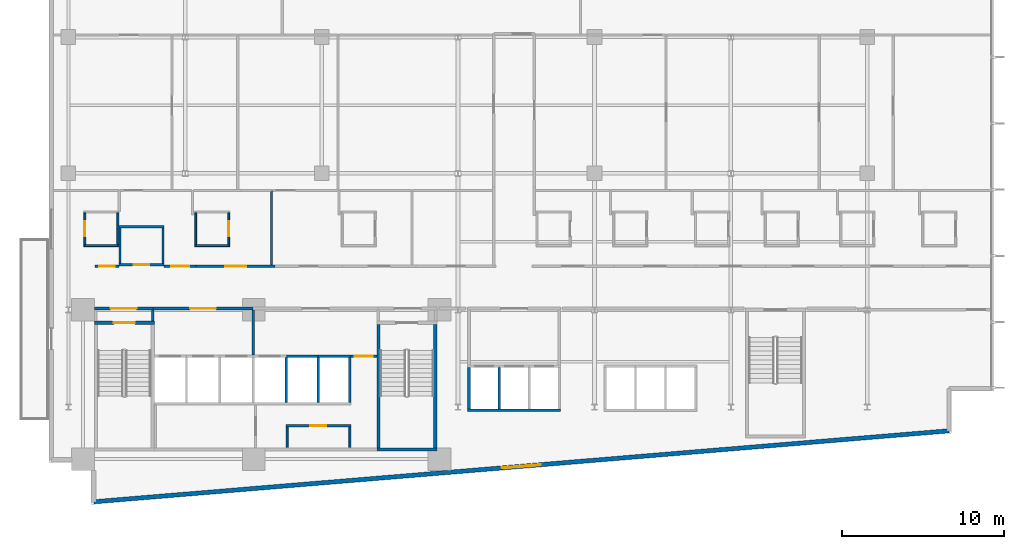
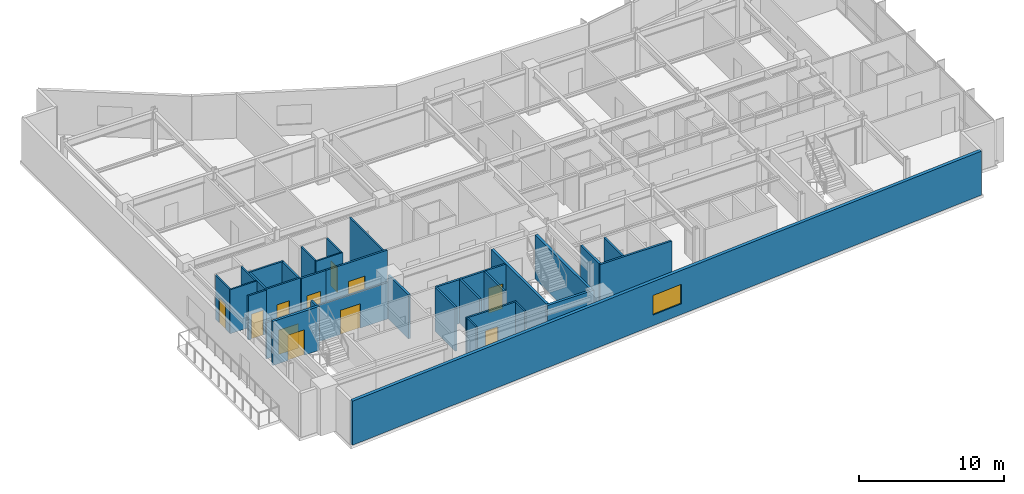
# One storey, part 12 of 20: 35 walls, 11 doors, 1 window, 12 openings.
"""IFC4 building model written with IfcOpenShell, lengths in metres."""

import ifcopenshell
import ifcopenshell.guid

model = None  # the IFC model being written
_history = None  # IfcOwnerHistory: only IFC2X3 demands one
_inside = {}  # id of a spatial element -> (the spatial element, [elements in it])
_under = {}  # id of a project, library or spatial element -> (it, [spatial elements below it])
_declared = {}  # id of a project -> (the project, [libraries it declares])
_typed = {}  # id of a type object -> (the type object, [elements of that type])
_made_of = {}  # id of a material, layer set ... -> (it, [elements and type objects made of it])


def new_model(schema):
    """Start an empty IFC model of exactly this schema.

    Asked for "IFC4X3", IfcOpenShell would pick the latest addendum, in which some entities
    have other attributes; the version numbers below select the first issue.
    IFC2X3 requires an IfcOwnerHistory on every rooted entity: one is made here for all.
    """
    global model, _history
    if schema == "IFC4X3":
        model = ifcopenshell.file(schema_version=(4, 3, 0, 0))
    else:
        model = ifcopenshell.file(schema=schema)
    _inside.clear()
    _under.clear()
    _declared.clear()
    _typed.clear()
    _made_of.clear()
    _history = None
    if model.schema == "IFC2X3":
        org = make("IfcOrganization", Name="unknown")
        user = make(
            "IfcPersonAndOrganization",
            ThePerson=make("IfcPerson", FamilyName="unknown"),
            TheOrganization=org,
        )
        app = make(
            "IfcApplication",
            ApplicationDeveloper=org,
            Version="unknown",
            ApplicationFullName="unknown",
            ApplicationIdentifier="unknown",
        )
        _history = make(
            "IfcOwnerHistory",
            OwningUser=user,
            OwningApplication=app,
            ChangeAction="ADDED",
            CreationDate=0,
        )
    return model


def make(cls, **values):
    """One entity of the class cls with the attributes given. An attribute that is None is left unset."""
    return model.create_entity(
        cls, **{name: value for name, value in values.items() if value is not None}
    )


def rooted(cls, **values):
    """An entity with a GlobalId (a new one), such as an element, a storey or a relation."""
    return make(cls, GlobalId=ifcopenshell.guid.new(), OwnerHistory=_history, **values)


def si_unit(unit_type, name, prefix=None):
    """IfcSIUnit, for example si_unit("LENGTHUNIT", "METRE", prefix="MILLI")."""
    return make("IfcSIUnit", UnitType=unit_type, Prefix=prefix, Name=name)


def assignment(units):
    """IfcUnitAssignment: the units of a project."""
    return None if units is None else make("IfcUnitAssignment", Units=units)


def point(xyz):
    """IfcCartesianPoint."""
    return None if xyz is None else make("IfcCartesianPoint", Coordinates=xyz)


def direction(xyz):
    """IfcDirection."""
    return None if xyz is None else make("IfcDirection", DirectionRatios=xyz)


def frame(location, z_axis=None, x_axis=None):
    """IfcAxis2Placement3D, a coordinate frame: its origin and axes. An axis left out is left unset."""
    return make(
        "IfcAxis2Placement3D",
        Location=point(location),
        Axis=direction(z_axis),
        RefDirection=direction(x_axis),
    )


def frame_2d(location, x_axis=None):
    """IfcAxis2Placement2D, a coordinate frame in the plane: its origin and x axis."""
    return make(
        "IfcAxis2Placement2D", Location=point(location), RefDirection=direction(x_axis)
    )


def origin():
    """The frame at (0, 0, 0) with its axes left unset."""
    return frame((0.0, 0.0, 0.0))


def place(relative_to, where):
    """IfcLocalPlacement: puts the frame where relative to a parent placement (None: the world)."""
    return make(
        "IfcLocalPlacement", PlacementRelTo=relative_to, RelativePlacement=where
    )


def context(
    kind, dimensions, precision=None, world=None, true_north=None, identifier=None
):
    """IfcGeometricRepresentationContext, for example the 3D "Model" context."""
    return make(
        "IfcGeometricRepresentationContext",
        ContextIdentifier=identifier,
        ContextType=kind,
        CoordinateSpaceDimension=dimensions,
        Precision=precision,
        WorldCoordinateSystem=world,
        TrueNorth=true_north,
    )


def subcontext(parent, identifier, kind, view, scale=None):
    """IfcGeometricRepresentationSubContext, for example "Body" below "Model"."""
    return make(
        "IfcGeometricRepresentationSubContext",
        ContextIdentifier=identifier,
        ContextType=kind,
        ParentContext=parent,
        TargetScale=scale,
        TargetView=view,
    )


def project(units=None, contexts=None):
    """IfcProject with its units and contexts."""
    return rooted(
        "IfcProject",
        Name="project",
        RepresentationContexts=contexts,
        UnitsInContext=assignment(units),
    )


def spatial(cls, under=None, at=None, **own):
    """A site, building, storey or space (cls), placed at a placement, below another one or the project."""
    s = rooted(cls, ObjectPlacement=at, **own)
    if under is not None:
        _under.setdefault(under.id(), (under, []))[1].append(s)
    return s


def profile(cls, at=None, kind="AREA", **sizes):
    """A parametric profile (cls). Its sizes go by their IFC names, for example OverallWidth=200.0."""
    return make(cls, ProfileType=kind, Position=at, **sizes)


def rectangle(**sizes):
    """IfcRectangleProfileDef."""
    return profile("IfcRectangleProfileDef", **sizes)


def extrude(swept, where, along, depth):
    """IfcExtrudedAreaSolid: the profile swept, set in the frame where, extruded along a direction by depth."""
    return make(
        "IfcExtrudedAreaSolid",
        SweptArea=swept,
        Position=where,
        ExtrudedDirection=direction(along),
        Depth=depth,
    )


def shape(context_of_items, identifier, shape_type, items):
    """IfcShapeRepresentation: the items that make up one representation, for example the "Body"."""
    return make(
        "IfcShapeRepresentation",
        ContextOfItems=context_of_items,
        RepresentationIdentifier=identifier,
        RepresentationType=shape_type,
        Items=items,
    )


def material(Name=None, Category=None):
    """IfcMaterial."""
    return make("IfcMaterial", Name=Name, Category=Category)


def layer(
    of_material, thickness, ventilated=None, Name=None, Category=None, Priority=None
):
    """IfcMaterialLayer: one layer of a wall or slab, of a material (None: an air gap)."""
    return make(
        "IfcMaterialLayer",
        Material=of_material,
        LayerThickness=thickness,
        IsVentilated=ventilated,
        Name=Name,
        Category=Category,
        Priority=Priority,
    )


def layer_set(layers, Name=None):
    """IfcMaterialLayerSet."""
    return make("IfcMaterialLayerSet", MaterialLayers=layers, LayerSetName=Name)


def made_of(thing, what):
    """Note that an element or type object is made of a material, layer set ...; save() writes the relation."""
    if what is not None:
        _made_of.setdefault(what.id(), (what, []))[1].append(thing)
    return thing


def type_object(cls, material=None, **own):
    """A type object (cls), such as IfcWallType, which elements share."""
    return made_of(rooted(cls, **own), material)


def element(
    cls,
    number,
    at=None,
    inside=None,
    cuts=None,
    type_object=None,
    material=None,
    context=None,
    identifier="Body",
    shape_type=None,
    held_by="IfcProductDefinitionShape",
    body=None,
    shapes=None,
    **own,
):
    """One element of the class cls, such as IfcWall. Its Tag is "e" and its number.

    at: its placement. inside: the storey or other place that contains it. cuts: it is an
    opening in that element (IfcRelVoidsElement). A single representation is given by context,
    identifier, shape_type and body (its items); several are given by shapes. held_by: the class
    of the entity that holds the representations. save() writes the other relations.
    """
    e = rooted(cls, Tag="e%d" % number, ObjectPlacement=at, **own)
    if body is not None:
        shapes = [shape(context, identifier, shape_type, body)]
    if shapes is not None:
        e.Representation = make(held_by, Representations=shapes)
    if inside is not None:
        _inside.setdefault(inside.id(), (inside, []))[1].append(e)
    if cuts is not None:
        rooted(
            "IfcRelVoidsElement", RelatingBuildingElement=cuts, RelatedOpeningElement=e
        )
    if type_object is not None:
        _typed.setdefault(type_object.id(), (type_object, []))[1].append(e)
    return made_of(e, material)


def fill(opening, filler):
    """IfcRelFillsElement: the door or window that sits in an opening."""
    return rooted(
        "IfcRelFillsElement",
        RelatingOpeningElement=opening,
        RelatedBuildingElement=filler,
    )


def aggregate(whole, parts):
    """IfcRelAggregates: a whole, such as a stair, and the parts it consists of."""
    return rooted("IfcRelAggregates", RelatingObject=whole, RelatedObjects=parts)


def save(model, path):
    """Write the relations noted so far, then the file.

    IfcRelAggregates (storeys below a building ...), IfcRelContainedInSpatialStructure (elements
    in a storey), IfcRelDefinesByType, IfcRelAssociatesMaterial and IfcRelDeclares: one each for
    every whole, place, type object, material and project.
    """
    for whole, parts in _under.values():
        aggregate(whole, parts)
    for where, things in _inside.values():
        rooted(
            "IfcRelContainedInSpatialStructure",
            RelatedElements=things,
            RelatingStructure=where,
        )
    for kind, things in _typed.values():
        rooted("IfcRelDefinesByType", RelatedObjects=things, RelatingType=kind)
    for what, things in _made_of.values():
        rooted("IfcRelAssociatesMaterial", RelatedObjects=things, RelatingMaterial=what)
    for by, libraries in _declared.values():
        rooted("IfcRelDeclares", RelatingContext=by, RelatedDefinitions=libraries)
    model.write(path)


model = new_model("IFC4")

# Units and contexts
model_context = context("Model", 3, precision=1e-05, world=origin(), true_north=direction((0.0, 1.0)))
body_context = subcontext(model_context, "Body", "Model", "MODEL_VIEW")
ifc_project = project(units=[si_unit("LENGTHUNIT", "METRE"), si_unit("AREAUNIT", "SQUARE_METRE"), si_unit("VOLUMEUNIT", "CUBIC_METRE"), si_unit("PLANEANGLEUNIT", "RADIAN"), si_unit("MASSUNIT", "GRAM", prefix="KILO")], contexts=[model_context])

# Site, building, storey
site_placement = place(None, origin())
site = spatial("IfcSite", under=ifc_project, at=site_placement, CompositionType="ELEMENT")
building_placement = place(site_placement, origin())
building = spatial("IfcBuilding", under=site, at=building_placement, Name="Varnakote Quay Hospital", CompositionType="ELEMENT")
storey_placement = place(building_placement, frame((0.0, 0.0, 58.050048828125)))
storey = spatial("IfcBuildingStorey", under=building, at=storey_placement, Name="L14", CompositionType="ELEMENT", Elevation=58.050048828125)

# Wall, opening, door
ifc_material_1 = material(Name="Fire-rated acoustic gypsum stud wall", Category="gypsum")
ifc_layer_1 = layer(ifc_material_1, 0.159912109375)
ifc_layer_set_1 = layer_set([ifc_layer_1], Name="Fire-rated acoustic gypsum stud wall")
wall_type_1 = type_object("IfcWallType", Name="WL-COMP-160", PredefinedType="PARTITIONING", material=ifc_layer_set_1)
wall_1_placement = place(storey_placement, frame((2.800048828125, 12.080078125, 0.0), z_axis=(0.0, 0.0, 1.0), x_axis=(1.0, 0.0, 0.0)))
wall_1 = element("IfcWall", 1, at=wall_1_placement, inside=storey, type_object=wall_type_1, Name="L14 West Stair Vestibule Smoke Wall", PredefinedType="PARTITIONING", context=body_context, shape_type="SweptSolid", body=[
    extrude(rectangle(XDim=3.599853515625, YDim=0.159912109375, at=frame_2d((1.7998046875, 0.0))), origin(), (0.0, 0.0, 1.0), 3.072998046875),
])
opening_1_placement = place(wall_1_placement, frame((1.0, 0.0, 0.0)))
opening_1 = element("IfcOpeningElement", 2, at=opening_1_placement, cuts=wall_1, Name="Opening D-ST1L-L14", PredefinedType="OPENING", context=body_context, shape_type="SweptSolid", body=[
    extrude(rectangle(XDim=1.60009765625, YDim=2.050048828125, at=frame_2d((0.800048828125, 1.02490234375))), frame((0.0, 0.08984375, 0.0), z_axis=(0.0, -1.0, 0.0), x_axis=(1.0, 0.0, 0.0)), (0.0, 0.0, 1.0), 0.179931640625),
])
ifc_material_2 = material(Name="Fire-rated double smoke lobby door")
door_type_1 = type_object("IfcDoorType", Name="DR-LOBBY-FD60S-1600x2150", OperationType="NOTDEFINED", PredefinedType="DOOR", material=ifc_material_2)
door_1_placement = place(opening_1_placement, origin())
door_1 = element("IfcDoor", 3, at=door_1_placement, inside=storey, type_object=door_type_1, Name="L14 West Stair Vestibule Smoke Door", OperationType="DOUBLE_DOOR_SINGLE_SWING", OverallHeight=2.050048828125, OverallWidth=1.60009765625, PredefinedType="DOOR", context=body_context, shape_type="SweptSolid", body=[
    extrude(rectangle(XDim=1.60009765625, YDim=2.050048828125, at=frame_2d((0.800048828125, 1.02490234375))), frame((0.0, 0.02490234375, 0.0), z_axis=(0.0, -1.0, 0.0), x_axis=(1.0, 0.0, 0.0)), (0.0, 0.0, 1.0), 0.050048828125),
])
fill(opening_1, door_1)

# Wall
wall_2_placement = place(storey_placement, frame((6.39990234375, 11.300048828125, 0.0), z_axis=(0.0, 0.0, 1.0), x_axis=(0.0, 1.0, 0.0)))
element("IfcWall", 4, at=wall_2_placement, inside=storey, type_object=wall_type_1, Name="L14 Firefighting Lobby West Wall", PredefinedType="PARTITIONING", context=body_context, shape_type="SweptSolid", body=[
    extrude(rectangle(XDim=0.699951171875, YDim=0.159912109375, at=frame_2d((0.35009765625, 0.0))), origin(), (0.0, 0.0, 1.0), 3.7099609375),
])

# Wall, opening, door
wall_3_placement = place(storey_placement, frame((6.39990234375, 12.080078125, 0.0), z_axis=(0.0, 0.0, 1.0), x_axis=(1.0, 0.0, 0.0)))
wall_3 = element("IfcWall", 5, at=wall_3_placement, inside=storey, type_object=wall_type_1, Name="L14 Firefighting Lift Lobby Compartment Wall", PredefinedType="PARTITIONING", context=body_context, shape_type="SweptSolid", body=[
    extrude(rectangle(XDim=6.18017578125, YDim=0.159912109375, at=frame_2d((3.090087890625, 0.0))), origin(), (0.0, 0.0, 1.0), 3.072998046875),
])
opening_2_placement = place(wall_3_placement, frame((2.2900390625, 0.0, 0.0)))
opening_2 = element("IfcOpeningElement", 6, at=opening_2_placement, cuts=wall_3, Name="Opening D-FFL-L14", PredefinedType="OPENING", context=body_context, shape_type="SweptSolid", body=[
    extrude(rectangle(XDim=1.60009765625, YDim=2.050048828125, at=frame_2d((0.800048828125, 1.02490234375))), frame((0.0, 0.08984375, 0.0), z_axis=(0.0, -1.0, 0.0), x_axis=(1.0, 0.0, 0.0)), (0.0, 0.0, 1.0), 0.179931640625),
])
door_2_placement = place(opening_2_placement, origin())
door_2 = element("IfcDoor", 7, at=door_2_placement, inside=storey, type_object=door_type_1, Name="L14 Firefighting Smoke Vestibule Door", OperationType="DOUBLE_DOOR_SINGLE_SWING", OverallHeight=2.050048828125, OverallWidth=1.60009765625, PredefinedType="DOOR", context=body_context, shape_type="SweptSolid", body=[
    extrude(rectangle(XDim=1.60009765625, YDim=2.050048828125, at=frame_2d((0.800048828125, 1.02490234375))), frame((0.0, 0.02490234375, 0.0), z_axis=(0.0, -1.0, 0.0), x_axis=(1.0, 0.0, 0.0)), (0.0, 0.0, 1.0), 0.050048828125),
])
fill(opening_2, door_2)

# Walls
wall_4_placement = place(storey_placement, frame((12.580078125, 9.2099609375, 0.0), z_axis=(0.0, 0.0, 1.0), x_axis=(0.0, 1.0, 0.0)))
element("IfcWall", 8, at=wall_4_placement, inside=storey, type_object=wall_type_1, Name="L14 Firefighting to Service Lobby Wall", PredefinedType="PARTITIONING", context=body_context, shape_type="SweptSolid", body=[
    extrude(rectangle(XDim=2.7900390625, YDim=0.159912109375, at=frame_2d((1.39501953125, 0.0))), origin(), (0.0, 0.0, 1.0), 3.7099609375),
])
ifc_material_3 = material(Name="Moisture-resistant bathroom partition", Category="gypsum")
ifc_layer_2 = layer(ifc_material_3, 0.114990234375)
ifc_layer_set_2 = layer_set([ifc_layer_2], Name="Moisture-resistant bathroom partition")
wall_type_2 = type_object("IfcWallType", Name="WL-ENS-115", PredefinedType="PARTITIONING", material=ifc_layer_set_2)
wall_5_placement = place(storey_placement, frame((2.155029296875, 15.952392578125, 0.0), z_axis=(0.0, 0.0, 1.0), x_axis=(1.0, 0.0, 0.0)))
element("IfcWall", 9, at=wall_5_placement, inside=storey, type_object=wall_type_2, Name="L14 Inpatient En-Suite Bathroom 01 S Wall", PredefinedType="PARTITIONING", context=body_context, shape_type="SweptSolid", body=[
    extrude(rectangle(XDim=2.14990234375, YDim=0.114990234375, at=frame_2d((1.074951171875, 0.0))), origin(), (0.0, 0.0, 1.0), 3.7099609375),
])

# Wall, opening, door
wall_6_placement = place(storey_placement, frame((2.21240234375, 16.010009765625, 0.0), z_axis=(0.0, 0.0, 1.0), x_axis=(0.0, 1.0, 0.0)))
wall_6 = element("IfcWall", 10, at=wall_6_placement, inside=storey, type_object=wall_type_2, Name="L14 Inpatient En-Suite Bathroom 01 W Wall", PredefinedType="PARTITIONING", context=body_context, shape_type="SweptSolid", body=[
    extrude(rectangle(XDim=1.949951171875, YDim=0.114990234375, at=frame_2d((0.97509765625, 0.0))), origin(), (0.0, 0.0, 1.0), 3.7099609375),
])
opening_3_placement = place(wall_6_placement, frame((0.514892578125, 0.0, 0.0)))
opening_3 = element("IfcOpeningElement", 11, at=opening_3_placement, cuts=wall_6, Name="Opening D-L14-ENS01", PredefinedType="OPENING", context=body_context, shape_type="SweptSolid", body=[
    extrude(rectangle(XDim=0.919921875, YDim=2.10009765625, at=frame_2d((0.4599609375, 1.050048828125))), frame((0.0, 0.0673828125, 0.0), z_axis=(0.0, -1.0, 0.0), x_axis=(1.0, 0.0, 0.0)), (0.0, 0.0, 1.0), 0.135009765625),
])
ifc_material_4 = material(Name="Moisture-sealed en-suite bathroom door")
door_type_2 = type_object("IfcDoorType", Name="DR-ENS-920x2100", OperationType="NOTDEFINED", PredefinedType="DOOR", material=ifc_material_4)
door_3_placement = place(opening_3_placement, origin())
door_3 = element("IfcDoor", 12, at=door_3_placement, inside=storey, type_object=door_type_2, Name="L14 Inpatient En-Suite Bathroom 01 Door", OperationType="SINGLE_SWING_LEFT", OverallHeight=2.10009765625, OverallWidth=0.919921875, PredefinedType="DOOR", context=body_context, shape_type="SweptSolid", body=[
    extrude(rectangle(XDim=0.919921875, YDim=2.10009765625, at=frame_2d((0.4599609375, 1.050048828125))), frame((0.0, 0.02490234375, 0.0), z_axis=(0.0, -1.0, 0.0), x_axis=(1.0, 0.0, 0.0)), (0.0, 0.0, 1.0), 0.050048828125),
])
fill(opening_3, door_3)

# Walls
wall_7_placement = place(storey_placement, frame((4.24755859375, 16.010009765625, 0.0), z_axis=(0.0, 0.0, 1.0), x_axis=(0.0, 1.0, 0.0)))
element("IfcWall", 13, at=wall_7_placement, inside=storey, type_object=wall_type_2, Name="L14 Inpatient En-Suite Bathroom 01 E Wall", PredefinedType="PARTITIONING", context=body_context, shape_type="SweptSolid", body=[
    extrude(rectangle(XDim=1.949951171875, YDim=0.114990234375, at=frame_2d((0.97509765625, 0.0))), origin(), (0.0, 0.0, 1.0), 3.7099609375),
])
wall_8_placement = place(storey_placement, frame((8.985107421875, 15.952392578125, 0.0), z_axis=(0.0, 0.0, 1.0), x_axis=(1.0, 0.0, 0.0)))
element("IfcWall", 14, at=wall_8_placement, inside=storey, type_object=wall_type_2, Name="L14 Inpatient En-Suite Bathroom 02 S Wall", PredefinedType="PARTITIONING", context=body_context, shape_type="SweptSolid", body=[
    extrude(rectangle(XDim=2.14990234375, YDim=0.114990234375, at=frame_2d((1.074951171875, 0.0))), origin(), (0.0, 0.0, 1.0), 3.7099609375),
])
wall_9_placement = place(storey_placement, frame((9.04248046875, 16.010009765625, 0.0), z_axis=(0.0, 0.0, 1.0), x_axis=(0.0, 1.0, 0.0)))
element("IfcWall", 15, at=wall_9_placement, inside=storey, type_object=wall_type_2, Name="L14 Inpatient En-Suite Bathroom 02 W Wall", PredefinedType="PARTITIONING", context=body_context, shape_type="SweptSolid", body=[
    extrude(rectangle(XDim=1.949951171875, YDim=0.114990234375, at=frame_2d((0.97509765625, 0.0))), origin(), (0.0, 0.0, 1.0), 3.7099609375),
])

# Wall, opening, door
wall_10_placement = place(storey_placement, frame((11.077392578125, 16.010009765625, 0.0), z_axis=(0.0, 0.0, 1.0), x_axis=(0.0, 1.0, 0.0)))
wall_10 = element("IfcWall", 16, at=wall_10_placement, inside=storey, type_object=wall_type_2, Name="L14 Inpatient En-Suite Bathroom 02 E Wall", PredefinedType="PARTITIONING", context=body_context, shape_type="SweptSolid", body=[
    extrude(rectangle(XDim=1.949951171875, YDim=0.114990234375, at=frame_2d((0.97509765625, 0.0))), origin(), (0.0, 0.0, 1.0), 3.7099609375),
])
opening_4_placement = place(wall_10_placement, frame((0.514892578125, 0.0, 0.0)))
opening_4 = element("IfcOpeningElement", 17, at=opening_4_placement, cuts=wall_10, Name="Opening D-L14-ENS02", PredefinedType="OPENING", context=body_context, shape_type="SweptSolid", body=[
    extrude(rectangle(XDim=0.919921875, YDim=2.10009765625, at=frame_2d((0.4599609375, 1.050048828125))), frame((0.0, 0.0673828125, 0.0), z_axis=(0.0, -1.0, 0.0), x_axis=(1.0, 0.0, 0.0)), (0.0, 0.0, 1.0), 0.135009765625),
])
door_4_placement = place(opening_4_placement, origin())
door_4 = element("IfcDoor", 18, at=door_4_placement, inside=storey, type_object=door_type_2, Name="L14 Inpatient En-Suite Bathroom 02 Door", OperationType="SINGLE_SWING_RIGHT", OverallHeight=2.10009765625, OverallWidth=0.919921875, PredefinedType="DOOR", context=body_context, shape_type="SweptSolid", body=[
    extrude(rectangle(XDim=0.919921875, YDim=2.10009765625, at=frame_2d((0.4599609375, 1.050048828125))), frame((0.0, 0.02490234375, 0.0), z_axis=(0.0, -1.0, 0.0), x_axis=(1.0, 0.0, 0.0)), (0.0, 0.0, 1.0), 0.050048828125),
])
fill(opening_4, door_4)

# Wall, opening, window
ifc_material_5 = material(Name="Precast concrete N50 (f'c 50 MPa)", Category="concrete")
ifc_layer_3 = layer(ifc_material_5, 0.260009765625)
ifc_layer_set_3 = layer_set([ifc_layer_3], Name="Precast concrete N50 (f'c 50 MPa)")
wall_type_3 = type_object("IfcWallType", Name="WL-EXT-BRICK-260", PredefinedType="STANDARD", material=ifc_layer_set_3)
wall_11_placement = place(storey_placement, frame((2.760009765625, 0.173828125, 0.0), z_axis=(0.0, 0.0, 1.0), x_axis=(0.996571478456, 0.082736257641, 0.0)))
wall_11 = element("IfcWall", 19, at=wall_11_placement, inside=storey, type_object=wall_type_3, Name="L14 Brick-Faced Precast Exterior Wall", PredefinedType="STANDARD", context=body_context, shape_type="SweptSolid", body=[
    extrude(rectangle(XDim=52.861083984375, YDim=0.260009765625, at=frame_2d((26.4306640625, 0.0))), origin(), (0.0, 0.0, 1.0), 3.7099609375),
])
opening_5_placement = place(wall_11_placement, frame((25.230712890625, 0.0, 0.89990234375)))
opening_5 = element("IfcOpeningElement", 20, at=opening_5_placement, cuts=wall_11, Name="Opening WN-0070", PredefinedType="OPENING", context=body_context, shape_type="SweptSolid", body=[
    extrude(rectangle(XDim=2.39990234375, YDim=1.64990234375, at=frame_2d((1.199951171875, 0.824951171875))), frame((0.0, 0.139892578125, 0.0), z_axis=(0.0, -1.0, 0.0), x_axis=(1.0, 0.0, 0.0)), (0.0, 0.0, 1.0), 0.280029296875),
])
ifc_material_6 = material(Name="Double-glazed low-E solar glass", Category="glass")
window_type = type_object("IfcWindowType", Name="WIN-CLIN-2400x1650", PartitioningType="SINGLE_PANEL", PredefinedType="WINDOW", material=ifc_material_6)
window_placement = place(opening_5_placement, origin())
window = element("IfcWindow", 21, at=window_placement, inside=storey, type_object=window_type, Name="L14 Solar-Control Clinical Window", OverallHeight=1.64990234375, OverallWidth=2.39990234375, PartitioningType="SINGLE_PANEL", PredefinedType="WINDOW", context=body_context, shape_type="SweptSolid", body=[
    extrude(rectangle(XDim=2.39990234375, YDim=1.64990234375, at=frame_2d((1.199951171875, 0.824951171875))), frame((0.0, 0.030029296875, 0.0), z_axis=(0.0, -1.0, 0.0), x_axis=(1.0, 0.0, 0.0)), (0.0, 0.0, 1.0), 0.06005859375),
])
fill(opening_5, window)

# Walls
ifc_material_7 = material(Name="Concrete N50 (f'c 50 MPa)", Category="concrete")
ifc_layer_4 = layer(ifc_material_7, 0.14990234375)
ifc_layer_set_4 = layer_set([ifc_layer_4], Name="Concrete N50 (f'c 50 MPa)")
wall_type_4 = type_object("IfcWallType", Name="WL-SHAFT-N50-150", PredefinedType="SHEAR", material=ifc_layer_set_4)
for number, where, z_axis, x_axis, name in (
    (22, (14.625, 6.300048828125, 0.0), (0.0, 0.0, 1.0), (0.0, 1.0, 0.0), "L14 LF-SV2 Hoistway Divider Wall"),
    (23, (16.574951171875, 6.300048828125, 0.0), (0.0, 0.0, 1.0), (0.0, 1.0, 0.0), "L14 LF-PH1 Hoistway Divider Wall"),
):
    element("IfcWall", number, at=place(storey_placement, frame(where, z_axis=z_axis, x_axis=x_axis)), inside=storey, type_object=wall_type_4, Name=name, PredefinedType="SHEAR", context=body_context, shape_type="SweptSolid", body=[
        extrude(rectangle(XDim=2.75, YDim=0.14990234375, at=frame_2d((1.375, 0.0))), origin(), (0.0, 0.0, 1.0), 3.7099609375),
    ])
wall_12_placement = place(storey_placement, frame((27.72509765625, 5.89990234375, 0.0), z_axis=(0.0, 0.0, 1.0), x_axis=(0.0, 1.0, 0.0)))
element("IfcWall", 24, at=wall_12_placement, inside=storey, type_object=wall_type_4, Name="L14 LF-PL1 Hoistway Divider Wall", PredefinedType="SHEAR", context=body_context, shape_type="SweptSolid", body=[
    extrude(rectangle(XDim=2.550048828125, YDim=0.14990234375, at=frame_2d((1.27490234375, 0.0))), origin(), (0.0, 0.0, 1.0), 3.7099609375),
])
ifc_material_8 = material(Name="Concrete N50 (f'c 50 MPa)", Category="concrete")
ifc_layer_5 = layer(ifc_material_8, 0.159912109375)
ifc_layer_set_5 = layer_set([ifc_layer_5], Name="Concrete N50 (f'c 50 MPa)")
wall_type_5 = type_object("IfcWallType", Name="WL-SHAFT-N50-160", PredefinedType="SHEAR", material=ifc_layer_set_5)
wall_13_placement = place(storey_placement, frame((18.530029296875, 6.300048828125, 0.0), z_axis=(0.0, 0.0, 1.0), x_axis=(0.0, 1.0, 0.0)))
element("IfcWall", 25, at=wall_13_placement, inside=storey, type_object=wall_type_5, Name="L14 REAR Lift Bank East Shear Wall", PredefinedType="SHEAR", context=body_context, shape_type="SweptSolid", body=[
    extrude(rectangle(XDim=2.75, YDim=0.159912109375, at=frame_2d((1.375, 0.0))), origin(), (0.0, 0.0, 1.0), 3.7099609375),
])
wall_14_placement = place(storey_placement, frame((14.625, 9.1298828125, 0.0), z_axis=(0.0, 0.0, 1.0), x_axis=(1.0, 0.0, 0.0)))
element("IfcWall", 26, at=wall_14_placement, inside=storey, type_object=wall_type_5, Name="L14 LF-PH1 Hoistway Front Wall", PredefinedType="SHEAR", context=body_context, shape_type="SweptSolid", body=[
    extrude(rectangle(XDim=1.949951171875, YDim=0.159912109375, at=frame_2d((0.97509765625, 0.0))), origin(), (0.0, 0.0, 1.0), 3.7099609375),
])
wall_15_placement = place(storey_placement, frame((16.574951171875, 9.1298828125, 0.0), z_axis=(0.0, 0.0, 1.0), x_axis=(1.0, 0.0, 0.0)))
element("IfcWall", 27, at=wall_15_placement, inside=storey, type_object=wall_type_5, Name="L14 LF-PH2 Hoistway Front Wall", PredefinedType="SHEAR", context=body_context, shape_type="SweptSolid", body=[
    extrude(rectangle(XDim=2.03515625, YDim=0.159912109375, at=frame_2d((1.017578125, 0.0))), origin(), (0.0, 0.0, 1.0), 3.7099609375),
])
wall_16_placement = place(storey_placement, frame((25.7900390625, 5.820068359375, 0.0), z_axis=(0.0, 0.0, 1.0), x_axis=(1.0, 0.0, 0.0)))
element("IfcWall", 28, at=wall_16_placement, inside=storey, type_object=wall_type_5, Name="L14 LOW Lift Bank Back Shear Wall", PredefinedType="SHEAR", context=body_context, shape_type="SweptSolid", body=[
    extrude(rectangle(XDim=5.719970703125, YDim=0.159912109375, at=frame_2d((2.85986328125, 0.0))), origin(), (0.0, 0.0, 1.0), 3.7099609375),
])
wall_17_placement = place(storey_placement, frame((25.8701171875, 5.89990234375, 0.0), z_axis=(0.0, 0.0, 1.0), x_axis=(0.0, 1.0, 0.0)))
element("IfcWall", 29, at=wall_17_placement, inside=storey, type_object=wall_type_5, Name="L14 LOW Lift Bank West Shear Wall", PredefinedType="SHEAR", context=body_context, shape_type="SweptSolid", body=[
    extrude(rectangle(XDim=2.550048828125, YDim=0.159912109375, at=frame_2d((1.27490234375, 0.0))), origin(), (0.0, 0.0, 1.0), 3.7099609375),
])

# Wall, opening, door
ifc_material_9 = material(Name="Concrete N50 (f'c 50 MPa)", Category="concrete")
ifc_layer_6 = layer(ifc_material_9, 0.199951171875)
ifc_layer_set_6 = layer_set([ifc_layer_6], Name="Concrete N50 (f'c 50 MPa)")
wall_type_6 = type_object("IfcWallType", Name="WL-SHAFT-N50-200", PredefinedType="SHEAR", material=ifc_layer_set_6)
wall_18_placement = place(storey_placement, frame((2.800048828125, 11.199951171875, 0.0), z_axis=(0.0, 0.0, 1.0), x_axis=(1.0, 0.0, 0.0)))
wall_18 = element("IfcWall", 30, at=wall_18_placement, inside=storey, type_object=wall_type_6, Name="L14 Stair ST1 Exit Wall", PredefinedType="SHEAR", context=body_context, shape_type="SweptSolid", body=[
    extrude(rectangle(XDim=3.699951171875, YDim=0.199951171875, at=frame_2d((1.85009765625, 0.0))), origin(), (0.0, 0.0, 1.0), 3.7099609375),
])
opening_6_placement = place(wall_18_placement, frame((1.199951171875, 0.0, 0.0)))
opening_6 = element("IfcOpeningElement", 31, at=opening_6_placement, cuts=wall_18, Name="Opening D-ST1-L14", PredefinedType="OPENING", context=body_context, shape_type="SweptSolid", body=[
    extrude(rectangle(XDim=1.300048828125, YDim=2.14990234375, at=frame_2d((0.64990234375, 1.074951171875))), frame((0.0, 0.10986328125, 0.0), z_axis=(0.0, -1.0, 0.0), x_axis=(1.0, 0.0, 0.0)), (0.0, 0.0, 1.0), 0.219970703125),
])
ifc_material_10 = material(Name="Fire-rated ceramic-glazed timber exit door", Category="wood")
door_type_3 = type_object("IfcDoorType", Name="DR-STAIR-FD60S-1300x2150", OperationType="NOTDEFINED", PredefinedType="DOOR", material=ifc_material_10)
door_5_placement = place(opening_6_placement, origin())
door_5 = element("IfcDoor", 32, at=door_5_placement, inside=storey, type_object=door_type_3, Name="L14 Stair ST1 Fire Exit Door", OperationType="SINGLE_SWING_RIGHT", OverallHeight=2.14990234375, OverallWidth=1.300048828125, PredefinedType="DOOR", context=body_context, shape_type="SweptSolid", body=[
    extrude(rectangle(XDim=1.300048828125, YDim=2.14990234375, at=frame_2d((0.64990234375, 1.074951171875))), frame((0.0, 0.02490234375, 0.0), z_axis=(0.0, -1.0, 0.0), x_axis=(1.0, 0.0, 0.0)), (0.0, 0.0, 1.0), 0.050048828125),
])
fill(opening_6, door_5)

# Walls
wall_19_placement = place(storey_placement, frame((20.199951171875, 3.39990234375, 0.0), z_axis=(0.0, 0.0, 1.0), x_axis=(1.0, 0.0, 0.0)))
element("IfcWall", 33, at=wall_19_placement, inside=storey, type_object=wall_type_6, Name="L14 Stair ST2 South Shaft Wall", PredefinedType="SHEAR", context=body_context, shape_type="SweptSolid", body=[
    extrude(rectangle(XDim=3.699951171875, YDim=0.199951171875, at=frame_2d((1.85009765625, 0.0))), origin(), (0.0, 0.0, 1.0), 3.7099609375),
])
for number, where, z_axis, x_axis, name in (
    (34, (20.300048828125, 3.5, 0.0), (0.0, 0.0, 1.0), (0.0, 1.0, 0.0), "L14 Stair ST2 West Shaft Wall"),
    (35, (23.800048828125, 3.5, 0.0), (0.0, 0.0, 1.0), (0.0, 1.0, 0.0), "L14 Stair ST2 East Shaft Wall"),
):
    element("IfcWall", number, at=place(storey_placement, frame(where, z_axis=z_axis, x_axis=x_axis)), inside=storey, type_object=wall_type_6, Name=name, PredefinedType="SHEAR", context=body_context, shape_type="SweptSolid", body=[
        extrude(rectangle(XDim=7.60009765625, YDim=0.199951171875, at=frame_2d((3.800048828125, 0.0))), origin(), (0.0, 0.0, 1.0), 3.7099609375),
    ])
ifc_material_11 = material(Name="Smoke-proof clinical partition", Category="gypsum")
ifc_layer_7 = layer(ifc_material_11, 0.1201171875)
ifc_layer_set_7 = layer_set([ifc_layer_7], Name="Smoke-proof clinical partition")
wall_type_7 = type_object("IfcWallType", Name="WL-SMOKE-120", PredefinedType="PARTITIONING", material=ifc_layer_set_7)
for number, where, z_axis, x_axis, name in (
    (36, (14.669921875, 3.52001953125, 0.0), (0.0, 0.0, 1.0), (0.0, 1.0, 0.0), "L14 Core WC West Wall"),
    (37, (18.5400390625, 3.52001953125, 0.0), (0.0, 0.0, 1.0), (0.0, 1.0, 0.0), "L14 Core WC East Wall"),
):
    element("IfcWall", number, at=place(storey_placement, frame(where, z_axis=z_axis, x_axis=x_axis)), inside=storey, type_object=wall_type_7, Name=name, PredefinedType="PARTITIONING", context=body_context, shape_type="SweptSolid", body=[
        extrude(rectangle(XDim=1.260009765625, YDim=0.1201171875, at=frame_2d((0.6298828125, 0.0))), origin(), (0.0, 0.0, 1.0), 3.7099609375),
    ])
ifc_material_12 = material(Name="Smoke-proof clinical partition", Category="gypsum")
ifc_layer_8 = layer(ifc_material_12, 0.135009765625)
ifc_layer_set_8 = layer_set([ifc_layer_8], Name="Smoke-proof clinical partition")
wall_type_8 = type_object("IfcWallType", Name="WL-SMOKE-135", PredefinedType="PARTITIONING", material=ifc_layer_set_8)
wall_20_placement = place(storey_placement, frame((13.7099609375, 14.760009765625, 0.0), z_axis=(0.0, 0.0, 1.0), x_axis=(0.0, 1.0, 0.0)))
element("IfcWall", 38, at=wall_20_placement, inside=storey, type_object=wall_type_8, Name="L14 Clinical Interior Partition", PredefinedType="PARTITIONING", context=body_context, shape_type="SweptSolid", body=[
    extrude(rectangle(XDim=4.580078125, YDim=0.135009765625, at=frame_2d((2.2900390625, 0.0))), origin(), (0.0, 0.0, 1.0), 3.7099609375),
])

# Wall, opening, door
ifc_material_13 = material(Name="Fire-rated clinical gypsum partition", Category="gypsum")
ifc_layer_9 = layer(ifc_material_13, 0.139892578125)
ifc_layer_set_9 = layer_set([ifc_layer_9], Name="Fire-rated clinical gypsum partition")
wall_type_9 = type_object("IfcWallType", Name="WL-WARD-140", PredefinedType="PARTITIONING", material=ifc_layer_set_9)
wall_21_placement = place(storey_placement, frame((14.60009765625, 4.85009765625, 0.0), z_axis=(0.0, 0.0, 1.0), x_axis=(1.0, 0.0, 0.0)))
wall_21 = element("IfcWall", 39, at=wall_21_placement, inside=storey, type_object=wall_type_9, Name="L14 Core Staff Sanitary WC North Wall", PredefinedType="PARTITIONING", context=body_context, shape_type="SweptSolid", body=[
    extrude(rectangle(XDim=4.0, YDim=0.139892578125, at=frame_2d((2.0, 0.0))), origin(), (0.0, 0.0, 1.0), 3.7099609375),
])
opening_7_placement = place(wall_21_placement, frame((1.510009765625, 0.0, 0.0)))
opening_7 = element("IfcOpeningElement", 40, at=opening_7_placement, cuts=wall_21, Name="Opening D-L14-CR02", PredefinedType="OPENING", context=body_context, shape_type="SweptSolid", body=[
    extrude(rectangle(XDim=0.97998046875, YDim=2.10009765625, at=frame_2d((0.489990234375, 1.050048828125))), frame((0.0, 0.079833984375, 0.0), z_axis=(0.0, -1.0, 0.0), x_axis=(1.0, 0.0, 0.0)), (0.0, 0.0, 1.0), 0.159912109375),
])
ifc_material_14 = material(Name="Accessible sanitary compartment door")
door_type_4 = type_object("IfcDoorType", Name="DR-WC-980x2100", OperationType="NOTDEFINED", PredefinedType="DOOR", material=ifc_material_14)
door_6_placement = place(opening_7_placement, origin())
door_6 = element("IfcDoor", 41, at=door_6_placement, inside=storey, type_object=door_type_4, Name="L14 Core Staff Sanitary WC Door", OperationType="SINGLE_SWING_RIGHT", OverallHeight=2.10009765625, OverallWidth=0.97998046875, PredefinedType="DOOR", context=body_context, shape_type="SweptSolid", body=[
    extrude(rectangle(XDim=0.97998046875, YDim=2.10009765625, at=frame_2d((0.489990234375, 1.050048828125))), frame((0.0, 0.02490234375, 0.0), z_axis=(0.0, -1.0, 0.0), x_axis=(1.0, 0.0, 0.0)), (0.0, 0.0, 1.0), 0.050048828125),
])
fill(opening_7, door_6)

wall_22_placement = place(storey_placement, frame((18.610107421875, 9.1298828125, 0.0), z_axis=(0.0, 0.0, 1.0), x_axis=(1.0, 0.0, 0.0)))
wall_22 = element("IfcWall", 42, at=wall_22_placement, inside=storey, type_object=wall_type_9, Name="L14 Core Service Corridor North Door Wall", PredefinedType="PARTITIONING", context=body_context, shape_type="SweptSolid", body=[
    extrude(rectangle(XDim=1.58984375, YDim=0.139892578125, at=frame_2d((0.794921875, 0.0))), origin(), (0.0, 0.0, 1.0), 3.7099609375),
])
opening_8_placement = place(wall_22_placement, frame((0.239990234375, 0.0, 0.0)))
opening_8 = element("IfcOpeningElement", 43, at=opening_8_placement, cuts=wall_22, Name="Opening D-CSRV-L14", PredefinedType="OPENING", context=body_context, shape_type="SweptSolid", body=[
    extrude(rectangle(XDim=1.10009765625, YDim=2.10009765625, at=frame_2d((0.550048828125, 1.050048828125))), frame((0.0, 0.079833984375, 0.0), z_axis=(0.0, -1.0, 0.0), x_axis=(1.0, 0.0, 0.0)), (0.0, 0.0, 1.0), 0.159912109375),
])
ifc_material_15 = material(Name="Acoustic timber clinical consult door", Category="wood")
door_type_5 = type_object("IfcDoorType", Name="DR-CLIN-FD30S-1100x2100", OperationType="NOTDEFINED", PredefinedType="DOOR", material=ifc_material_15)
door_7_placement = place(opening_8_placement, origin())
door_7 = element("IfcDoor", 44, at=door_7_placement, inside=storey, type_object=door_type_5, Name="L14 Core Service Corridor Door", OperationType="SINGLE_SWING_LEFT", OverallHeight=2.10009765625, OverallWidth=1.10009765625, PredefinedType="DOOR", context=body_context, shape_type="SweptSolid", body=[
    extrude(rectangle(XDim=1.10009765625, YDim=2.10009765625, at=frame_2d((0.550048828125, 1.050048828125))), frame((0.0, 0.02490234375, 0.0), z_axis=(0.0, -1.0, 0.0), x_axis=(1.0, 0.0, 0.0)), (0.0, 0.0, 1.0), 0.050048828125),
])
fill(opening_8, door_7)

wall_23_placement = place(storey_placement, frame((4.31005859375, 14.77001953125, 0.0), z_axis=(0.0, 0.0, 1.0), x_axis=(1.0, 0.0, 0.0)))
wall_23 = element("IfcWall", 45, at=wall_23_placement, inside=storey, type_object=wall_type_9, Name="L14 Floor Unisex Accessible WC S Wall", PredefinedType="PARTITIONING", context=body_context, shape_type="SweptSolid", body=[
    extrude(rectangle(XDim=2.780029296875, YDim=0.139892578125, at=frame_2d((1.39013671875, 0.0))), origin(), (0.0, 0.0, 1.0), 3.7099609375),
])
opening_9_placement = place(wall_23_placement, frame((0.89990234375, 0.0, 0.0)))
opening_9 = element("IfcOpeningElement", 46, at=opening_9_placement, cuts=wall_23, Name="Opening D-L14-EW01", PredefinedType="OPENING", context=body_context, shape_type="SweptSolid", body=[
    extrude(rectangle(XDim=0.97998046875, YDim=2.10009765625, at=frame_2d((0.489990234375, 1.050048828125))), frame((0.0, 0.079833984375, 0.0), z_axis=(0.0, -1.0, 0.0), x_axis=(1.0, 0.0, 0.0)), (0.0, 0.0, 1.0), 0.159912109375),
])
door_8_placement = place(opening_9_placement, origin())
door_8 = element("IfcDoor", 47, at=door_8_placement, inside=storey, type_object=door_type_4, Name="L14 Floor Unisex Accessible WC Door", OperationType="SINGLE_SWING_RIGHT", OverallHeight=2.10009765625, OverallWidth=0.97998046875, PredefinedType="DOOR", context=body_context, shape_type="SweptSolid", body=[
    extrude(rectangle(XDim=0.97998046875, YDim=2.10009765625, at=frame_2d((0.489990234375, 1.050048828125))), frame((0.0, 0.02490234375, 0.0), z_axis=(0.0, -1.0, 0.0), x_axis=(1.0, 0.0, 0.0)), (0.0, 0.0, 1.0), 0.050048828125),
])
fill(opening_9, door_8)

# Walls
wall_24_placement = place(storey_placement, frame((4.31005859375, 17.110107421875, 0.0), z_axis=(0.0, 0.0, 1.0), x_axis=(1.0, 0.0, 0.0)))
element("IfcWall", 48, at=wall_24_placement, inside=storey, type_object=wall_type_9, Name="L14 Floor Unisex Accessible WC N Wall", PredefinedType="PARTITIONING", context=body_context, shape_type="SweptSolid", body=[
    extrude(rectangle(XDim=2.780029296875, YDim=0.139892578125, at=frame_2d((1.39013671875, 0.0))), origin(), (0.0, 0.0, 1.0), 3.7099609375),
])
for number, where, z_axis, x_axis, name in (
    (49, (4.3798828125, 14.840087890625, 0.0), (0.0, 0.0, 1.0), (0.0, 1.0, 0.0), "L14 Floor Unisex Accessible WC W Wall"),
    (50, (7.02001953125, 14.840087890625, 0.0), (0.0, 0.0, 1.0), (0.0, 1.0, 0.0), "L14 Floor Unisex Accessible WC E Wall"),
):
    element("IfcWall", number, at=place(storey_placement, frame(where, z_axis=z_axis, x_axis=x_axis)), inside=storey, type_object=wall_type_9, Name=name, PredefinedType="PARTITIONING", context=body_context, shape_type="SweptSolid", body=[
        extrude(rectangle(XDim=2.199951171875, YDim=0.139892578125, at=frame_2d((1.10009765625, 0.0))), origin(), (0.0, 0.0, 1.0), 3.7099609375),
    ])

# Wall, opening, door
ifc_material_16 = material(Name="Fire-rated clinical gypsum partition", Category="gypsum")
ifc_layer_10 = layer(ifc_material_16, 0.14990234375)
ifc_layer_set_10 = layer_set([ifc_layer_10], Name="Fire-rated clinical gypsum partition")
wall_type_10 = type_object("IfcWallType", Name="WL-WARD-150", PredefinedType="PARTITIONING", material=ifc_layer_set_10)
wall_25_placement = place(storey_placement, frame((4.30810546875, 14.679931640625, 0.0), z_axis=(0.0, 0.0, 1.0), x_axis=(-1.0, 0.0, 0.0)))
wall_25 = element("IfcWall", 51, at=wall_25_placement, inside=storey, type_object=wall_type_10, Name="L14 Clinical Interior Partition", PredefinedType="PARTITIONING", context=body_context, shape_type="SweptSolid", body=[
    extrude(rectangle(XDim=1.4580078125, YDim=0.14990234375, at=frame_2d((0.72900390625, 0.0))), origin(), (0.0, 0.0, 1.0), 3.7099609375),
])
opening_10_placement = place(wall_25_placement, frame((0.239013671875, 0.0, 0.0)))
opening_10 = element("IfcOpeningElement", 52, at=opening_10_placement, cuts=wall_25, Name="Opening D-L14-BR01", PredefinedType="OPENING", context=body_context, shape_type="SweptSolid", body=[
    extrude(rectangle(XDim=0.97998046875, YDim=2.10009765625, at=frame_2d((0.489990234375, 1.050048828125))), frame((0.0, 0.0849609375, 0.0), z_axis=(0.0, -1.0, 0.0), x_axis=(1.0, 0.0, 0.0)), (0.0, 0.0, 1.0), 0.169921875),
])
door_9_placement = place(opening_10_placement, origin())
door_9 = element("IfcDoor", 53, at=door_9_placement, inside=storey, type_object=door_type_4, Name="L14 Resident Care Bedroom 01 Door", OperationType="SINGLE_SWING_LEFT", OverallHeight=2.10009765625, OverallWidth=0.97998046875, PredefinedType="DOOR", context=body_context, shape_type="SweptSolid", body=[
    extrude(rectangle(XDim=0.97998046875, YDim=2.10009765625, at=frame_2d((0.489990234375, 1.050048828125))), frame((0.0, 0.02490234375, 0.0), z_axis=(0.0, -1.0, 0.0), x_axis=(1.0, 0.0, 0.0)), (0.0, 0.0, 1.0), 0.050048828125),
])
fill(opening_10, door_9)

wall_26_placement = place(storey_placement, frame((9.06591796875, 14.679931640625, 0.0), z_axis=(0.0, 0.0, 1.0), x_axis=(-1.0, 0.0, 0.0)))
wall_26 = element("IfcWall", 54, at=wall_26_placement, inside=storey, type_object=wall_type_10, Name="L14 Clinical Interior Partition", PredefinedType="PARTITIONING", context=body_context, shape_type="SweptSolid", body=[
    extrude(rectangle(XDim=1.973876953125, YDim=0.14990234375, at=frame_2d((0.98681640625, 0.0))), origin(), (0.0, 0.0, 1.0), 3.7099609375),
])
opening_11_placement = place(wall_26_placement, frame((0.43701171875, 0.0, 0.0)))
opening_11 = element("IfcOpeningElement", 55, at=opening_11_placement, cuts=wall_26, Name="Opening D-L14-MD01", PredefinedType="OPENING", context=body_context, shape_type="SweptSolid", body=[
    extrude(rectangle(XDim=1.10009765625, YDim=2.10009765625, at=frame_2d((0.550048828125, 1.050048828125))), frame((0.0, 0.0849609375, 0.0), z_axis=(0.0, -1.0, 0.0), x_axis=(1.0, 0.0, 0.0)), (0.0, 0.0, 1.0), 0.169921875),
])
door_10_placement = place(opening_11_placement, origin())
door_10 = element("IfcDoor", 56, at=door_10_placement, inside=storey, type_object=door_type_5, Name="L14 Multidisciplinary Clinical Consultation Suite Door", OperationType="SINGLE_SWING_RIGHT", OverallHeight=2.10009765625, OverallWidth=1.10009765625, PredefinedType="DOOR", context=body_context, shape_type="SweptSolid", body=[
    extrude(rectangle(XDim=1.10009765625, YDim=2.10009765625, at=frame_2d((0.550048828125, 1.050048828125))), frame((0.0, 0.02490234375, 0.0), z_axis=(0.0, -1.0, 0.0), x_axis=(1.0, 0.0, 0.0)), (0.0, 0.0, 1.0), 0.050048828125),
])
fill(opening_11, door_10)

wall_27_placement = place(storey_placement, frame((13.93603515625, 14.679931640625, 0.0), z_axis=(0.0, 0.0, 1.0), x_axis=(-1.0, 0.0, 0.0)))
wall_27 = element("IfcWall", 57, at=wall_27_placement, inside=storey, type_object=wall_type_10, Name="L14 Clinical Interior Partition", PredefinedType="PARTITIONING", context=body_context, shape_type="SweptSolid", body=[
    extrude(rectangle(XDim=4.867919921875, YDim=0.14990234375, at=frame_2d((2.43408203125, 0.0))), origin(), (0.0, 0.0, 1.0), 3.7099609375),
])
opening_12_placement = place(wall_27_placement, frame((1.783935546875, 0.0, 0.0)))
opening_12 = element("IfcOpeningElement", 58, at=opening_12_placement, cuts=wall_27, Name="Opening D-L14-BR02", PredefinedType="OPENING", context=body_context, shape_type="SweptSolid", body=[
    extrude(rectangle(XDim=1.300048828125, YDim=2.14990234375, at=frame_2d((0.64990234375, 1.074951171875))), frame((0.0, 0.0849609375, 0.0), z_axis=(0.0, -1.0, 0.0), x_axis=(1.0, 0.0, 0.0)), (0.0, 0.0, 1.0), 0.169921875),
])
ifc_material_17 = material(Name="Solid-core timber clinical bed door", Category="wood")
door_type_6 = type_object("IfcDoorType", Name="DR-WARD-FD30S-1300x2150", OperationType="NOTDEFINED", PredefinedType="DOOR", material=ifc_material_17)
door_11_placement = place(opening_12_placement, origin())
door_11 = element("IfcDoor", 59, at=door_11_placement, inside=storey, type_object=door_type_6, Name="L14 Resident Care Bedroom 02 Door", OperationType="SINGLE_SWING_LEFT", OverallHeight=2.14990234375, OverallWidth=1.300048828125, PredefinedType="DOOR", context=body_context, shape_type="SweptSolid", body=[
    extrude(rectangle(XDim=1.300048828125, YDim=2.14990234375, at=frame_2d((0.64990234375, 1.074951171875))), frame((0.0, 0.02490234375, 0.0), z_axis=(0.0, -1.0, 0.0), x_axis=(1.0, 0.0, 0.0)), (0.0, 0.0, 1.0), 0.050048828125),
])
fill(opening_12, door_11)

save(model, "model.ifc")
